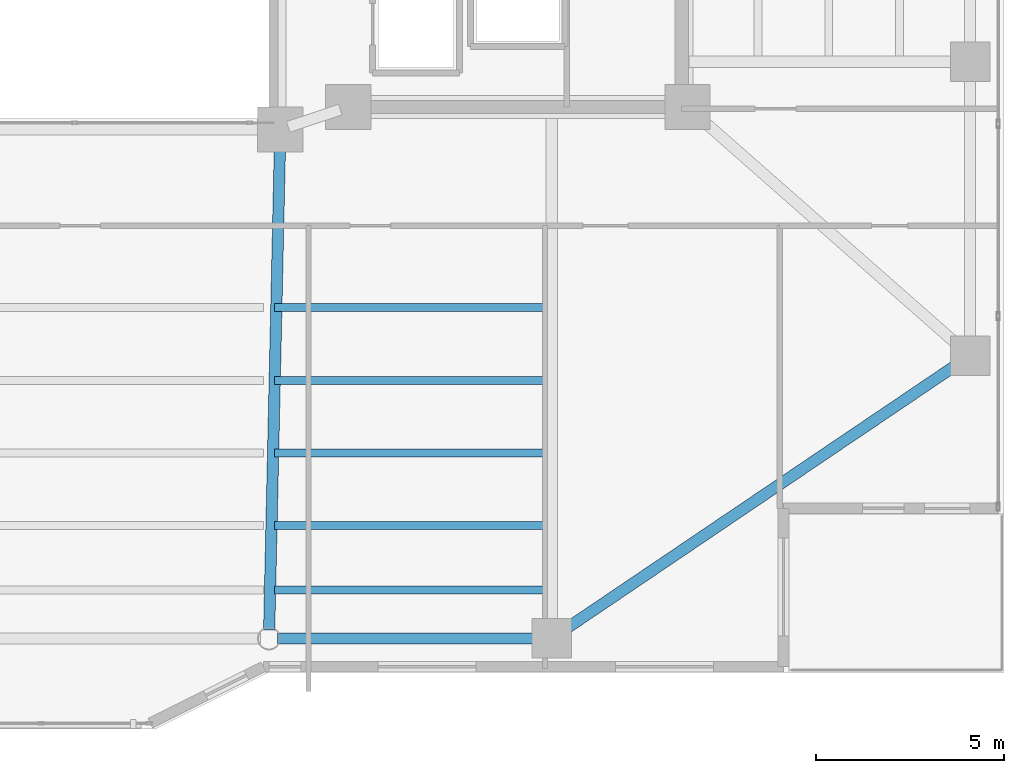
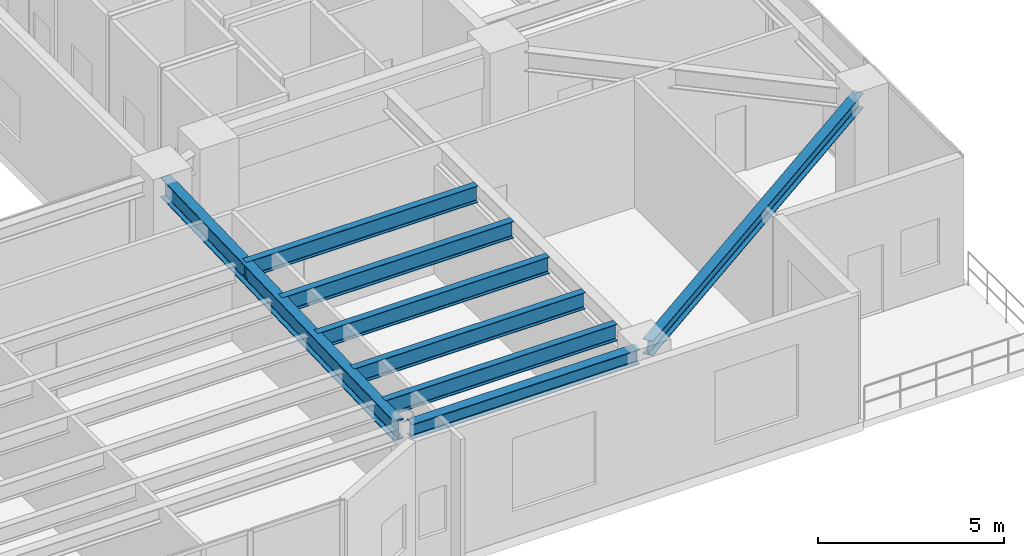
# One storey, part 13 of 38: 8 beams.
"""IFC4 building model written with IfcOpenShell, lengths in metres."""

import ifcopenshell
import ifcopenshell.guid

model = None  # the IFC model being written
_history = None  # IfcOwnerHistory: only IFC2X3 demands one
_inside = {}  # id of a spatial element -> (the spatial element, [elements in it])
_under = {}  # id of a project, library or spatial element -> (it, [spatial elements below it])
_declared = {}  # id of a project -> (the project, [libraries it declares])
_typed = {}  # id of a type object -> (the type object, [elements of that type])
_made_of = {}  # id of a material, layer set ... -> (it, [elements and type objects made of it])


def new_model(schema):
    """Start an empty IFC model of exactly this schema.

    Asked for "IFC4X3", IfcOpenShell would pick the latest addendum, in which some entities
    have other attributes; the version numbers below select the first issue.
    IFC2X3 requires an IfcOwnerHistory on every rooted entity: one is made here for all.
    """
    global model, _history
    if schema == "IFC4X3":
        model = ifcopenshell.file(schema_version=(4, 3, 0, 0))
    else:
        model = ifcopenshell.file(schema=schema)
    _inside.clear()
    _under.clear()
    _declared.clear()
    _typed.clear()
    _made_of.clear()
    _history = None
    if model.schema == "IFC2X3":
        org = make("IfcOrganization", Name="unknown")
        user = make(
            "IfcPersonAndOrganization",
            ThePerson=make("IfcPerson", FamilyName="unknown"),
            TheOrganization=org,
        )
        app = make(
            "IfcApplication",
            ApplicationDeveloper=org,
            Version="unknown",
            ApplicationFullName="unknown",
            ApplicationIdentifier="unknown",
        )
        _history = make(
            "IfcOwnerHistory",
            OwningUser=user,
            OwningApplication=app,
            ChangeAction="ADDED",
            CreationDate=0,
        )
    return model


def make(cls, **values):
    """One entity of the class cls with the attributes given. An attribute that is None is left unset."""
    return model.create_entity(
        cls, **{name: value for name, value in values.items() if value is not None}
    )


def rooted(cls, **values):
    """An entity with a GlobalId (a new one), such as an element, a storey or a relation."""
    return make(cls, GlobalId=ifcopenshell.guid.new(), OwnerHistory=_history, **values)


def si_unit(unit_type, name, prefix=None):
    """IfcSIUnit, for example si_unit("LENGTHUNIT", "METRE", prefix="MILLI")."""
    return make("IfcSIUnit", UnitType=unit_type, Prefix=prefix, Name=name)


def assignment(units):
    """IfcUnitAssignment: the units of a project."""
    return None if units is None else make("IfcUnitAssignment", Units=units)


def point(xyz):
    """IfcCartesianPoint."""
    return None if xyz is None else make("IfcCartesianPoint", Coordinates=xyz)


def direction(xyz):
    """IfcDirection."""
    return None if xyz is None else make("IfcDirection", DirectionRatios=xyz)


def frame(location, z_axis=None, x_axis=None):
    """IfcAxis2Placement3D, a coordinate frame: its origin and axes. An axis left out is left unset."""
    return make(
        "IfcAxis2Placement3D",
        Location=point(location),
        Axis=direction(z_axis),
        RefDirection=direction(x_axis),
    )


def frame_2d(location, x_axis=None):
    """IfcAxis2Placement2D, a coordinate frame in the plane: its origin and x axis."""
    return make(
        "IfcAxis2Placement2D", Location=point(location), RefDirection=direction(x_axis)
    )


def origin():
    """The frame at (0, 0, 0) with its axes left unset."""
    return frame((0.0, 0.0, 0.0))


def origin_2d():
    """The frame at (0, 0) in the plane with its x axis left unset."""
    return frame_2d((0.0, 0.0))


def place(relative_to, where):
    """IfcLocalPlacement: puts the frame where relative to a parent placement (None: the world)."""
    return make(
        "IfcLocalPlacement", PlacementRelTo=relative_to, RelativePlacement=where
    )


def context(
    kind, dimensions, precision=None, world=None, true_north=None, identifier=None
):
    """IfcGeometricRepresentationContext, for example the 3D "Model" context."""
    return make(
        "IfcGeometricRepresentationContext",
        ContextIdentifier=identifier,
        ContextType=kind,
        CoordinateSpaceDimension=dimensions,
        Precision=precision,
        WorldCoordinateSystem=world,
        TrueNorth=true_north,
    )


def subcontext(parent, identifier, kind, view, scale=None):
    """IfcGeometricRepresentationSubContext, for example "Body" below "Model"."""
    return make(
        "IfcGeometricRepresentationSubContext",
        ContextIdentifier=identifier,
        ContextType=kind,
        ParentContext=parent,
        TargetScale=scale,
        TargetView=view,
    )


def project(units=None, contexts=None):
    """IfcProject with its units and contexts."""
    return rooted(
        "IfcProject",
        Name="project",
        RepresentationContexts=contexts,
        UnitsInContext=assignment(units),
    )


def spatial(cls, under=None, at=None, **own):
    """A site, building, storey or space (cls), placed at a placement, below another one or the project."""
    s = rooted(cls, ObjectPlacement=at, **own)
    if under is not None:
        _under.setdefault(under.id(), (under, []))[1].append(s)
    return s


def profile(cls, at=None, kind="AREA", **sizes):
    """A parametric profile (cls). Its sizes go by their IFC names, for example OverallWidth=200.0."""
    return make(cls, ProfileType=kind, Position=at, **sizes)


def i_section(**sizes):
    """IfcIShapeProfileDef."""
    return profile("IfcIShapeProfileDef", **sizes)


def extrude(swept, where, along, depth):
    """IfcExtrudedAreaSolid: the profile swept, set in the frame where, extruded along a direction by depth."""
    return make(
        "IfcExtrudedAreaSolid",
        SweptArea=swept,
        Position=where,
        ExtrudedDirection=direction(along),
        Depth=depth,
    )


def shape(context_of_items, identifier, shape_type, items):
    """IfcShapeRepresentation: the items that make up one representation, for example the "Body"."""
    return make(
        "IfcShapeRepresentation",
        ContextOfItems=context_of_items,
        RepresentationIdentifier=identifier,
        RepresentationType=shape_type,
        Items=items,
    )


def material(Name=None, Category=None):
    """IfcMaterial."""
    return make("IfcMaterial", Name=Name, Category=Category)


def material_profile(
    of_material, cross_section, Name=None, Category=None, Priority=None
):
    """IfcMaterialProfile: a cross section and its material."""
    return make(
        "IfcMaterialProfile",
        Name=Name,
        Material=of_material,
        Profile=cross_section,
        Priority=Priority,
        Category=Category,
    )


def profile_set(profiles, Name=None, composite=None):
    """IfcMaterialProfileSet."""
    return make(
        "IfcMaterialProfileSet",
        Name=Name,
        MaterialProfiles=profiles,
        CompositeProfile=composite,
    )


def made_of(thing, what):
    """Note that an element or type object is made of a material, layer set ...; save() writes the relation."""
    if what is not None:
        _made_of.setdefault(what.id(), (what, []))[1].append(thing)
    return thing


def type_object(cls, material=None, **own):
    """A type object (cls), such as IfcWallType, which elements share."""
    return made_of(rooted(cls, **own), material)


def element(
    cls,
    number,
    at=None,
    inside=None,
    cuts=None,
    type_object=None,
    material=None,
    context=None,
    identifier="Body",
    shape_type=None,
    held_by="IfcProductDefinitionShape",
    body=None,
    shapes=None,
    **own,
):
    """One element of the class cls, such as IfcWall. Its Tag is "e" and its number.

    at: its placement. inside: the storey or other place that contains it. cuts: it is an
    opening in that element (IfcRelVoidsElement). A single representation is given by context,
    identifier, shape_type and body (its items); several are given by shapes. held_by: the class
    of the entity that holds the representations. save() writes the other relations.
    """
    e = rooted(cls, Tag="e%d" % number, ObjectPlacement=at, **own)
    if body is not None:
        shapes = [shape(context, identifier, shape_type, body)]
    if shapes is not None:
        e.Representation = make(held_by, Representations=shapes)
    if inside is not None:
        _inside.setdefault(inside.id(), (inside, []))[1].append(e)
    if cuts is not None:
        rooted(
            "IfcRelVoidsElement", RelatingBuildingElement=cuts, RelatedOpeningElement=e
        )
    if type_object is not None:
        _typed.setdefault(type_object.id(), (type_object, []))[1].append(e)
    return made_of(e, material)


def aggregate(whole, parts):
    """IfcRelAggregates: a whole, such as a stair, and the parts it consists of."""
    return rooted("IfcRelAggregates", RelatingObject=whole, RelatedObjects=parts)


def save(model, path):
    """Write the relations noted so far, then the file.

    IfcRelAggregates (storeys below a building ...), IfcRelContainedInSpatialStructure (elements
    in a storey), IfcRelDefinesByType, IfcRelAssociatesMaterial and IfcRelDeclares: one each for
    every whole, place, type object, material and project.
    """
    for whole, parts in _under.values():
        aggregate(whole, parts)
    for where, things in _inside.values():
        rooted(
            "IfcRelContainedInSpatialStructure",
            RelatedElements=things,
            RelatingStructure=where,
        )
    for kind, things in _typed.values():
        rooted("IfcRelDefinesByType", RelatedObjects=things, RelatingType=kind)
    for what, things in _made_of.values():
        rooted("IfcRelAssociatesMaterial", RelatedObjects=things, RelatingMaterial=what)
    for by, libraries in _declared.values():
        rooted("IfcRelDeclares", RelatingContext=by, RelatedDefinitions=libraries)
    model.write(path)


model = new_model("IFC4")

# Units and contexts
model_context = context("Model", 3, precision=1e-05, world=origin(), true_north=direction((0.0, 1.0)))
body_context = subcontext(model_context, "Body", "Model", "MODEL_VIEW")
ifc_project = project(units=[si_unit("LENGTHUNIT", "METRE"), si_unit("AREAUNIT", "SQUARE_METRE"), si_unit("VOLUMEUNIT", "CUBIC_METRE"), si_unit("PLANEANGLEUNIT", "RADIAN"), si_unit("MASSUNIT", "GRAM", prefix="KILO")], contexts=[model_context])

# Site, building, storey
site_placement = place(None, origin())
site = spatial("IfcSite", under=ifc_project, at=site_placement, CompositionType="ELEMENT")
building_placement = place(site_placement, origin())
building = spatial("IfcBuilding", under=site, at=building_placement, Name="Tarnavaz Court Tower", CompositionType="ELEMENT")
storey_placement = place(building_placement, frame((0.0, 0.0, 123.0)))
storey = spatial("IfcBuildingStorey", under=building, at=storey_placement, Name="L33", CompositionType="ELEMENT", Elevation=123.0)

# Beams
ifc_material = material(Name="Steel S355", Category="steel")
ifc_material_profile_1 = material_profile(ifc_material, i_section(OverallWidth=0.300048828125, OverallDepth=0.64990234375, WebThickness=0.01611328125, FlangeThickness=0.031005859375, FilletRadius=0.027099609375, at=origin_2d()), Name="HEB 650")
ifc_profile_set_1 = profile_set([ifc_material_profile_1], Name="Steel S355")
beam_type_1 = type_object("IfcBeamType", Name="BM-G-HEB650", PredefinedType="USERDEFINED", material=ifc_profile_set_1)
beam_1_placement = place(storey_placement, frame((7.795166015625, -8.02001953125, 3.875), z_axis=(-0.022221303469, -0.99975307635, 0.0), x_axis=(0.99975307635, -0.022221303469, 0.0)))
element("IfcBeam", 1, at=beam_1_placement, inside=storey, type_object=beam_type_1, Name="L33 Beam RG-07", ObjectType="GIRDER", PredefinedType="USERDEFINED", context=body_context, shape_type="SweptSolid", body=[
    extrude(i_section(OverallWidth=0.300048828125, OverallDepth=0.64990234375, WebThickness=0.01611328125, FlangeThickness=0.031005859375, FilletRadius=0.027099609375, at=origin_2d()), origin(), (0.0, 0.0, 1.0), 13.063232421875),
])
ifc_material_profile_2 = material_profile(ifc_material, i_section(OverallWidth=0.2099609375, OverallDepth=0.550048828125, WebThickness=0.010986328125, FlangeThickness=0.01708984375, FilletRadius=0.02392578125, at=origin_2d()), Name="IPE 550")
ifc_profile_set_2 = profile_set([ifc_material_profile_2], Name="Steel S355")
beam_type_2 = type_object("IfcBeamType", Name="BM-J-IPE550", PredefinedType="JOIST", material=ifc_profile_set_2)
for number, where, z_axis, x_axis, name in (
    (2, (7.64990234375, -12.52587890625, 3.925048828125), (1.0, 0.0, 0.0), (0.0, 1.0, 0.0), "L33 Beam JS1-3"),
    (3, (7.64990234375, -14.451904296875, 3.925048828125), (1.0, 0.0, 0.0), (0.0, 1.0, 0.0), "L33 Beam JS2-3"),
    (4, (7.64990234375, -16.3779296875, 3.925048828125), (1.0, 0.0, 0.0), (0.0, 1.0, 0.0), "L33 Beam JS3-3"),
    (5, (7.64990234375, -18.303955078125, 3.925048828125), (1.0, 0.0, 0.0), (0.0, 1.0, 0.0), "L33 Beam JS4-3"),
    (6, (7.64990234375, -20.01611328125, 3.925048828125), (1.0, 0.0, 0.0), (0.0, 1.0, 0.0), "L33 Beam JS5-3"),
):
    element("IfcBeam", number, at=place(storey_placement, frame(where, z_axis=z_axis, x_axis=x_axis)), inside=storey, type_object=beam_type_2, Name=name, PredefinedType="JOIST", context=body_context, shape_type="SweptSolid", body=[
        extrude(i_section(OverallWidth=0.2099609375, OverallDepth=0.550048828125, WebThickness=0.010986328125, FlangeThickness=0.01708984375, FilletRadius=0.02392578125, at=origin_2d()), origin(), (0.0, 0.0, 1.0), 7.2001953125),
    ])
ifc_material_profile_3 = material_profile(ifc_material, i_section(OverallWidth=0.300048828125, OverallDepth=0.489990234375, WebThickness=0.011962890625, FlangeThickness=0.02294921875, FilletRadius=0.027099609375, at=origin_2d()), Name="HEA 500")
ifc_profile_set_3 = profile_set([ifc_material_profile_3], Name="Steel S355")
beam_type_3 = type_object("IfcBeamType", Name="BM-SP-HEA500", PredefinedType="SPANDREL", material=ifc_profile_set_3)
beam_2_placement = place(storey_placement, frame((7.719970703125, -21.300048828125, 3.955078125), z_axis=(1.0, 0.0, 0.0), x_axis=(0.0, 1.0, 0.0)))
element("IfcBeam", 7, at=beam_2_placement, inside=storey, type_object=beam_type_3, Name="L33 Beam PR-PS-3-PS-4", PredefinedType="SPANDREL", context=body_context, shape_type="SweptSolid", body=[
    extrude(i_section(OverallWidth=0.300048828125, OverallDepth=0.489990234375, WebThickness=0.011962890625, FlangeThickness=0.02294921875, FilletRadius=0.027099609375, at=origin_2d()), origin(), (0.0, 0.0, 1.0), 7.06005859375),
])
beam_3_placement = place(storey_placement, frame((25.917724609375, -13.923095703125, 3.955078125), z_axis=(-0.828587314918, -0.559859858854, 0.0), x_axis=(0.559859858854, -0.828587314918, 0.0)))
element("IfcBeam", 8, at=beam_3_placement, inside=storey, type_object=beam_type_3, Name="L33 Beam PR-PE-1-PS-4", PredefinedType="SPANDREL", context=body_context, shape_type="SweptSolid", body=[
    extrude(i_section(OverallWidth=0.300048828125, OverallDepth=0.489990234375, WebThickness=0.011962890625, FlangeThickness=0.02294921875, FilletRadius=0.027099609375, at=origin_2d()), origin(), (0.0, 0.0, 1.0), 12.956298828125),
])

save(model, "model.ifc")
